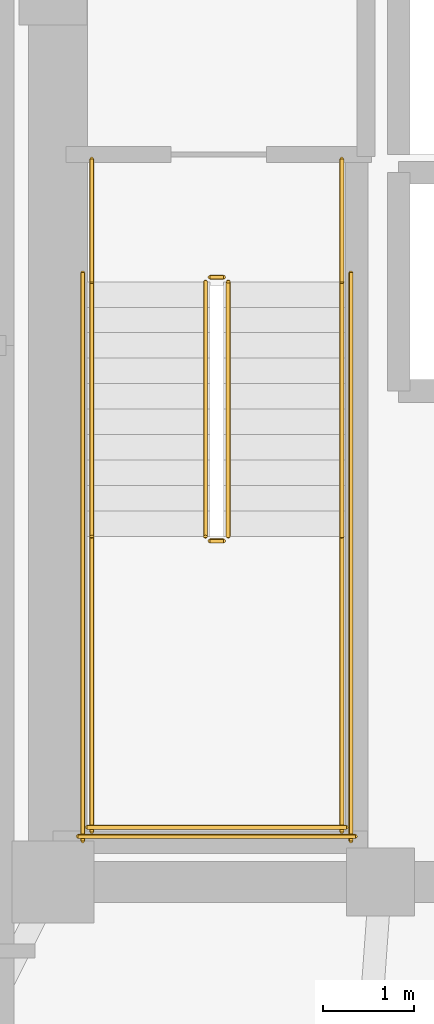
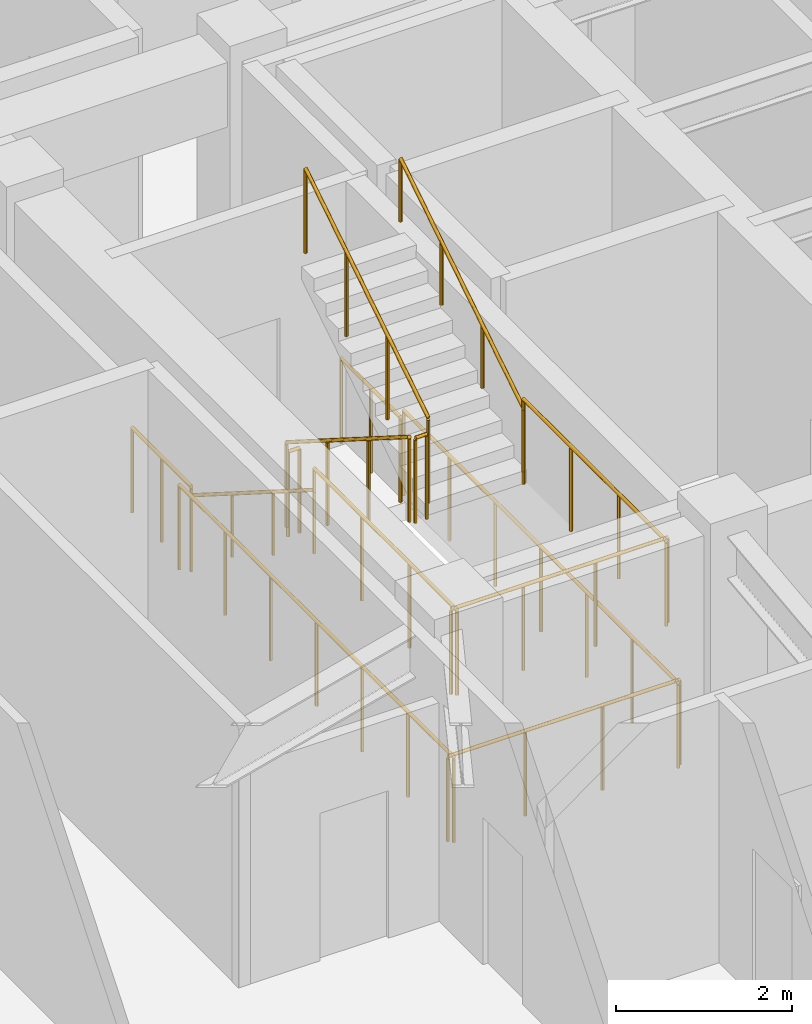
# One storey, part 10 of 11: 14 railings.
"""IFC4 building model written with IfcOpenShell, lengths in metres."""

from ifc_helpers import new_model, si_unit, direction, frame, origin, origin_2d, place, context, subcontext, project, spatial, circle, extrude, material, type_object, element, save


model = new_model("IFC4")

# Units and contexts
model_context = context("Model", 3, precision=1e-05, world=origin(), true_north=direction((0.0, 1.0)))
body_context = subcontext(model_context, "Body", "Model", "MODEL_VIEW")
ifc_project = project(units=[si_unit("LENGTHUNIT", "METRE"), si_unit("AREAUNIT", "SQUARE_METRE"), si_unit("VOLUMEUNIT", "CUBIC_METRE"), si_unit("PLANEANGLEUNIT", "RADIAN"), si_unit("MASSUNIT", "GRAM", prefix="KILO")], contexts=[model_context])

# Site, building, storey
site_placement = place(None, origin())
site = spatial("IfcSite", under=ifc_project, at=site_placement, CompositionType="ELEMENT")
building_placement = place(site_placement, origin())
building = spatial("IfcBuilding", under=site, at=building_placement, Name="Voryun Gate Residences", CompositionType="ELEMENT")
storey_placement = place(building_placement, frame((0.0, 0.0, 163.800048828125)))
storey = spatial("IfcBuildingStorey", under=building, at=storey_placement, Name="L40", CompositionType="ELEMENT", Elevation=163.800048828125)

# Railings
ifc_material_1 = material(Name="Painted steel", Category="steel")
railing_type_1 = type_object("IfcRailingType", Name="RAIL_STAIR_GUARD_1200", PredefinedType="GUARDRAIL", material=ifc_material_1)
railing_1_placement = place(storey_placement, frame((-17.52490234375, -0.800048828125, 0.17724609375)))
element("IfcRailing", 1, at=railing_1_placement, inside=storey, type_object=railing_type_1, Name="L40 ST-W1 stair guard 1", PredefinedType="GUARDRAIL", context=body_context, shape_type="SweptSolid", body=[
    extrude(circle(Radius=0.02392578125, at=origin_2d()), frame((0.0, 0.0, 1.17578125), z_axis=(0.0, -0.844908973607, 0.534910110503), x_axis=(1.0, 0.0, 0.0)), (0.0, 0.0, 1.0), 3.31396484375),
    extrude(circle(Radius=0.02099609375, at=origin_2d()), origin(), (0.0, 0.0, 1.0), 1.15185546875),
    extrude(circle(Radius=0.02099609375, at=origin_2d()), frame((0.0, -0.933349609375, 0.5908203125)), (0.0, 0.0, 1.0), 1.15185546875),
    extrude(circle(Radius=0.02099609375, at=origin_2d()), frame((0.0, -1.86669921875, 1.181884765625)), (0.0, 0.0, 1.0), 1.15185546875),
    extrude(circle(Radius=0.02099609375, at=origin_2d()), frame((0.0, -2.800048828125, 1.772705078125)), (0.0, 0.0, 1.0), 1.15185546875),
])
railing_2_placement = place(storey_placement, frame((-17.47509765625, -3.64990234375, 1.949951171875)))
element("IfcRailing", 2, at=railing_2_placement, inside=storey, type_object=railing_type_1, Name="L40 ST-W1 stair guard 2", PredefinedType="GUARDRAIL", context=body_context, shape_type="SweptSolid", body=[
    extrude(circle(Radius=0.02392578125, at=origin_2d()), frame((0.0, 0.0, 1.17578125), z_axis=(1.0, 0.0, 0.0), x_axis=(0.0, 1.0, 0.0)), (0.0, 0.0, 1.0), 0.150146484375),
    extrude(circle(Radius=0.02099609375, at=origin_2d()), origin(), (0.0, 0.0, 1.0), 1.15185546875),
    extrude(circle(Radius=0.02099609375, at=origin_2d()), frame((0.150146484375, 0.0, 0.0)), (0.0, 0.0, 1.0), 1.15185546875),
])
for number, where, name in (
    (3, (-18.77490234375, -3.60009765625, 1.949951171875), "L40 ST-W1 stair guard 3"),
    (4, (-16.02490234375, -3.60009765625, 1.949951171875), "L40 ST-W1 stair guard 4"),
):
    element("IfcRailing", number, at=place(storey_placement, frame(where)), inside=storey, type_object=railing_type_1, Name=name, PredefinedType="GUARDRAIL", context=body_context, shape_type="SweptSolid", body=[
        extrude(circle(Radius=0.02392578125, at=origin_2d()), frame((0.0, 0.0, 1.17578125), z_axis=(0.0, -1.0, 0.0), x_axis=(1.0, 0.0, 0.0)), (0.0, 0.0, 1.0), 3.25),
        extrude(circle(Radius=0.02099609375, at=origin_2d()), origin(), (0.0, 0.0, 1.0), 1.15185546875),
        extrude(circle(Radius=0.02099609375, at=origin_2d()), frame((0.0, -1.083251953125, 0.0)), (0.0, 0.0, 1.0), 1.15185546875),
        extrude(circle(Radius=0.02099609375, at=origin_2d()), frame((0.0, -2.166748046875, 0.0)), (0.0, 0.0, 1.0), 1.15185546875),
        extrude(circle(Radius=0.02099609375, at=origin_2d()), frame((0.0, -3.25, 0.0)), (0.0, 0.0, 1.0), 1.15185546875),
    ])
railing_3_placement = place(storey_placement, frame((-18.824951171875, -6.800048828125, 1.949951171875)))
element("IfcRailing", 5, at=railing_3_placement, inside=storey, type_object=railing_type_1, Name="L40 ST-W1 stair guard 5", PredefinedType="GUARDRAIL", context=body_context, shape_type="SweptSolid", body=[
    extrude(circle(Radius=0.02392578125, at=origin_2d()), frame((0.0, 0.0, 1.17578125), z_axis=(1.0, 0.0, 0.0), x_axis=(0.0, 1.0, 0.0)), (0.0, 0.0, 1.0), 2.849853515625),
    extrude(circle(Radius=0.02099609375, at=origin_2d()), origin(), (0.0, 0.0, 1.0), 1.15185546875),
    extrude(circle(Radius=0.02099609375, at=origin_2d()), frame((0.949951171875, 0.0, 0.0)), (0.0, 0.0, 1.0), 1.15185546875),
    extrude(circle(Radius=0.02099609375, at=origin_2d()), frame((1.89990234375, 0.0, 0.0)), (0.0, 0.0, 1.0), 1.15185546875),
    extrude(circle(Radius=0.02099609375, at=origin_2d()), frame((2.849853515625, 0.0, 0.0)), (0.0, 0.0, 1.0), 1.15185546875),
])
railing_4_placement = place(storey_placement, frame((-17.27490234375, -3.60009765625, 2.127197265625)))
element("IfcRailing", 6, at=railing_4_placement, inside=storey, type_object=railing_type_1, Name="L40 ST-W1 stair guard 6", PredefinedType="GUARDRAIL", context=body_context, shape_type="SweptSolid", body=[
    extrude(circle(Radius=0.02392578125, at=origin_2d()), frame((0.0, 0.0, 1.17578125), z_axis=(0.0, 0.844908973607, 0.534910110503), x_axis=(-1.0, 0.0, 0.0)), (0.0, 0.0, 1.0), 3.31396484375),
    extrude(circle(Radius=0.02099609375, at=origin_2d()), origin(), (0.0, 0.0, 1.0), 1.15185546875),
    extrude(circle(Radius=0.02099609375, at=origin_2d()), frame((0.0, 0.933349609375, 0.5908203125)), (0.0, 0.0, 1.0), 1.15185546875),
    extrude(circle(Radius=0.02099609375, at=origin_2d()), frame((0.0, 1.86669921875, 1.181884765625)), (0.0, 0.0, 1.0), 1.15185546875),
    extrude(circle(Radius=0.02099609375, at=origin_2d()), frame((0.0, 2.800048828125, 1.772705078125)), (0.0, 0.0, 1.0), 1.15185546875),
])
railing_5_placement = place(storey_placement, frame((-17.47509765625, -0.75, 0.0)))
element("IfcRailing", 7, at=railing_5_placement, inside=storey, type_object=railing_type_1, Name="L40 ST-W1 stair guard 7", PredefinedType="GUARDRAIL", context=body_context, shape_type="SweptSolid", body=[
    extrude(circle(Radius=0.02392578125, at=origin_2d()), frame((0.0, 0.0, 1.17578125), z_axis=(1.0, 0.0, 0.0), x_axis=(0.0, 1.0, 0.0)), (0.0, 0.0, 1.0), 0.150146484375),
    extrude(circle(Radius=0.02099609375, at=origin_2d()), origin(), (0.0, 0.0, 1.0), 1.15185546875),
    extrude(circle(Radius=0.02099609375, at=origin_2d()), frame((0.150146484375, 0.0, 0.0)), (0.0, 0.0, 1.0), 1.15185546875),
])
for number, where, name in (
    (8, (-18.77490234375, 0.550048828125, 0.0), "L40 ST-W1 stair guard 8"),
    (9, (-16.02490234375, 0.550048828125, 0.0), "L40 ST-W1 stair guard 9"),
):
    element("IfcRailing", number, at=place(storey_placement, frame(where)), inside=storey, type_object=railing_type_1, Name=name, PredefinedType="GUARDRAIL", context=body_context, shape_type="SweptSolid", body=[
        extrude(circle(Radius=0.02392578125, at=origin_2d()), frame((0.0, 0.0, 1.17578125), z_axis=(0.0, -1.0, 0.0), x_axis=(1.0, 0.0, 0.0)), (0.0, 0.0, 1.0), 1.35009765625),
        extrude(circle(Radius=0.02099609375, at=origin_2d()), origin(), (0.0, 0.0, 1.0), 1.15185546875),
        extrude(circle(Radius=0.02099609375, at=origin_2d()), frame((0.0, -0.675048828125, 0.0)), (0.0, 0.0, 1.0), 1.15185546875),
        extrude(circle(Radius=0.02099609375, at=origin_2d()), frame((0.0, -1.35009765625, 0.0)), (0.0, 0.0, 1.0), 1.15185546875),
    ])
for number, where, name in (
    (10, (-18.875, -0.699951171875, 0.0), "L40 ST-W1 stair guard 10"),
    (11, (-15.925048828125, -0.699951171875, 0.0), "L40 ST-W1 stair guard 11"),
):
    element("IfcRailing", number, at=place(storey_placement, frame(where)), inside=storey, type_object=railing_type_1, Name=name, PredefinedType="GUARDRAIL", context=body_context, shape_type="SweptSolid", body=[
        extrude(circle(Radius=0.02392578125, at=origin_2d()), frame((0.0, 0.0, 1.17578125), z_axis=(0.0, -1.0, 0.0), x_axis=(1.0, 0.0, 0.0)), (0.0, 0.0, 1.0), 6.25),
        extrude(circle(Radius=0.02099609375, at=origin_2d()), origin(), (0.0, 0.0, 1.0), 1.15185546875),
        extrude(circle(Radius=0.02099609375, at=origin_2d()), frame((0.0, -1.041748046875, 0.0)), (0.0, 0.0, 1.0), 1.15185546875),
        extrude(circle(Radius=0.02099609375, at=origin_2d()), frame((0.0, -2.083251953125, 0.0)), (0.0, 0.0, 1.0), 1.15185546875),
        extrude(circle(Radius=0.02099609375, at=origin_2d()), frame((0.0, -3.125, 0.0)), (0.0, 0.0, 1.0), 1.15185546875),
        extrude(circle(Radius=0.02099609375, at=origin_2d()), frame((0.0, -4.166748046875, 0.0)), (0.0, 0.0, 1.0), 1.15185546875),
        extrude(circle(Radius=0.02099609375, at=origin_2d()), frame((0.0, -5.208251953125, 0.0)), (0.0, 0.0, 1.0), 1.15185546875),
        extrude(circle(Radius=0.02099609375, at=origin_2d()), frame((0.0, -6.25, 0.0)), (0.0, 0.0, 1.0), 1.15185546875),
    ])
railing_6_placement = place(storey_placement, frame((-18.925048828125, -6.89990234375, 0.0)))
element("IfcRailing", 12, at=railing_6_placement, inside=storey, type_object=railing_type_1, Name="L40 ST-W1 stair guard 12", PredefinedType="GUARDRAIL", context=body_context, shape_type="SweptSolid", body=[
    extrude(circle(Radius=0.02392578125, at=origin_2d()), frame((0.0, 0.0, 1.17578125), z_axis=(1.0, 0.0, 0.0), x_axis=(0.0, 1.0, 0.0)), (0.0, 0.0, 1.0), 3.050048828125),
    extrude(circle(Radius=0.02099609375, at=origin_2d()), origin(), (0.0, 0.0, 1.0), 1.15185546875),
    extrude(circle(Radius=0.02099609375, at=origin_2d()), frame((1.0166015625, 0.0, 0.0)), (0.0, 0.0, 1.0), 1.15185546875),
    extrude(circle(Radius=0.02099609375, at=origin_2d()), frame((2.033447265625, 0.0, 0.0)), (0.0, 0.0, 1.0), 1.15185546875),
    extrude(circle(Radius=0.02099609375, at=origin_2d()), frame((3.050048828125, 0.0, 0.0)), (0.0, 0.0, 1.0), 1.15185546875),
])
ifc_material_2 = material(Name="Painted steel", Category="steel")
railing_type_2 = type_object("IfcRailingType", Name="RAIL_STAIR_HANDRAIL_900", PredefinedType="HANDRAIL", material=ifc_material_2)
railing_7_placement = place(storey_placement, frame((-18.77490234375, -0.800048828125, 0.17724609375)))
element("IfcRailing", 13, at=railing_7_placement, inside=storey, type_object=railing_type_2, Name="L40 ST-W1 stair handrail 1", PredefinedType="HANDRAIL", context=body_context, shape_type="SweptSolid", body=[
    extrude(circle(Radius=0.02392578125, at=origin_2d()), frame((0.0, 0.0, 0.8759765625), z_axis=(0.0, -0.844908973607, 0.534910110503), x_axis=(1.0, 0.0, 0.0)), (0.0, 0.0, 1.0), 3.31396484375),
    extrude(circle(Radius=0.02099609375, at=origin_2d()), origin(), (0.0, 0.0, 1.0), 0.851806640625),
    extrude(circle(Radius=0.02099609375, at=origin_2d()), frame((0.0, -0.933349609375, 0.5908203125)), (0.0, 0.0, 1.0), 0.851806640625),
    extrude(circle(Radius=0.02099609375, at=origin_2d()), frame((0.0, -1.86669921875, 1.181884765625)), (0.0, 0.0, 1.0), 0.851806640625),
    extrude(circle(Radius=0.02099609375, at=origin_2d()), frame((0.0, -2.800048828125, 1.772705078125)), (0.0, 0.0, 1.0), 0.851806640625),
])
railing_8_placement = place(storey_placement, frame((-16.02490234375, -3.60009765625, 2.127197265625)))
element("IfcRailing", 14, at=railing_8_placement, inside=storey, type_object=railing_type_2, Name="L40 ST-W1 stair handrail 2", PredefinedType="HANDRAIL", context=body_context, shape_type="SweptSolid", body=[
    extrude(circle(Radius=0.02392578125, at=origin_2d()), frame((0.0, 0.0, 0.8759765625), z_axis=(0.0, 0.844908973607, 0.534910110503), x_axis=(-1.0, 0.0, 0.0)), (0.0, 0.0, 1.0), 3.31396484375),
    extrude(circle(Radius=0.02099609375, at=origin_2d()), origin(), (0.0, 0.0, 1.0), 0.851806640625),
    extrude(circle(Radius=0.02099609375, at=origin_2d()), frame((0.0, 0.933349609375, 0.5908203125)), (0.0, 0.0, 1.0), 0.851806640625),
    extrude(circle(Radius=0.02099609375, at=origin_2d()), frame((0.0, 1.86669921875, 1.181884765625)), (0.0, 0.0, 1.0), 0.851806640625),
    extrude(circle(Radius=0.02099609375, at=origin_2d()), frame((0.0, 2.800048828125, 1.772705078125)), (0.0, 0.0, 1.0), 0.851806640625),
])

save(model, "model.ifc")
